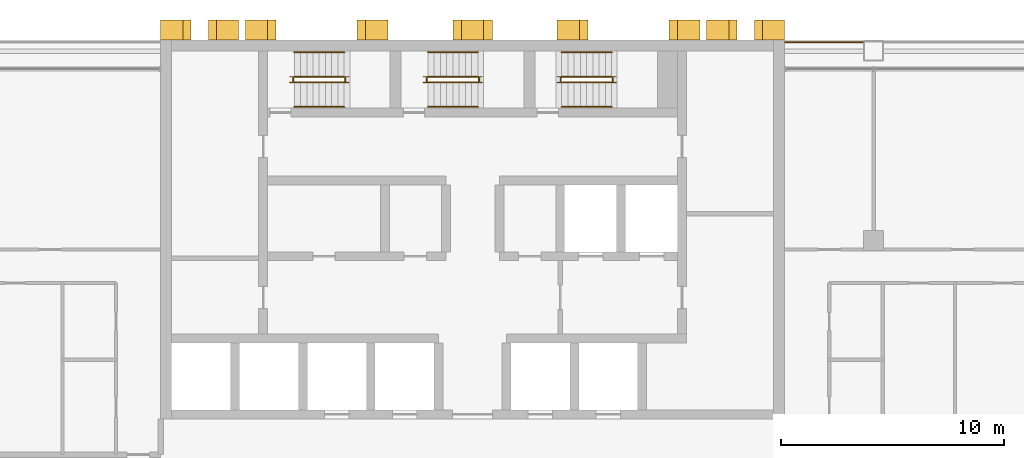
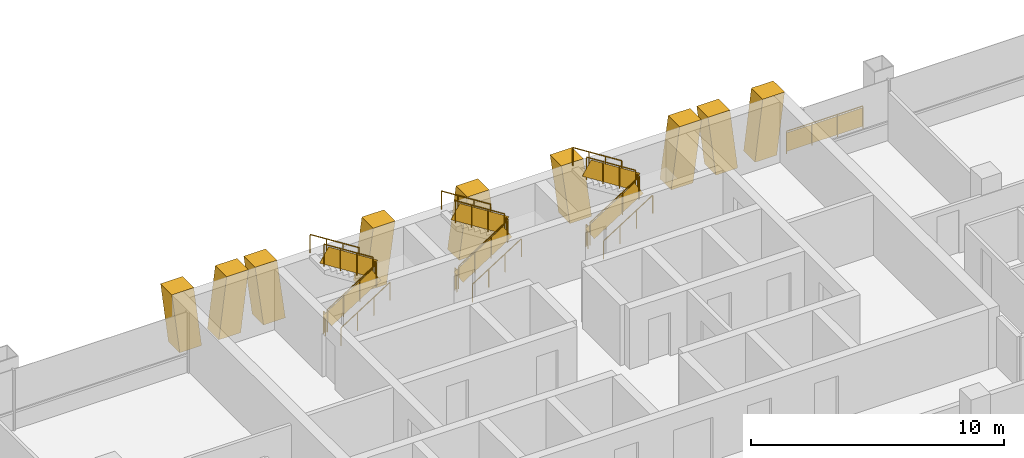
# One storey, part 16 of 17: 19 railings, 9 shading devices.
"""IFC4 building model written with IfcOpenShell, lengths in metres."""

from ifc_helpers import new_model, si_unit, direction, frame, origin, origin_2d, place, context, subcontext, project, spatial, polyline, rectangle, circle, outline, extrude, material, layer, layer_set, type_object, element, save


model = new_model("IFC4")

# Units and contexts
model_context = context("Model", 3, precision=1e-05, world=origin(), true_north=direction((0.0, 1.0)))
body_context = subcontext(model_context, "Body", "Model", "MODEL_VIEW")
ifc_project = project(units=[si_unit("LENGTHUNIT", "METRE"), si_unit("AREAUNIT", "SQUARE_METRE"), si_unit("VOLUMEUNIT", "CUBIC_METRE"), si_unit("PLANEANGLEUNIT", "RADIAN"), si_unit("MASSUNIT", "GRAM", prefix="KILO")], contexts=[model_context])

# Site, building, storey
site_placement = place(None, origin())
site = spatial("IfcSite", under=ifc_project, at=site_placement, CompositionType="ELEMENT")
building_placement = place(site_placement, origin())
building = spatial("IfcBuilding", under=site, at=building_placement, Name="Vidyagriha Tower", CompositionType="ELEMENT")
storey_placement = place(building_placement, frame((0.0, 0.0, 96.699951171875)))
storey = spatial("IfcBuildingStorey", under=building, at=storey_placement, Name="L25", CompositionType="ELEMENT", Elevation=96.699951171875)

# Shading devices
ifc_material_1 = material(Name="Precast concrete C40/50 with brick facing", Category="concrete")
ifc_layer_1 = layer(ifc_material_1, 1.0)
ifc_layer_set_1 = layer_set([ifc_layer_1], Name="Precast concrete C40/50 with brick facing")
shading_device_type_1 = type_object("IfcShadingDeviceType", Name="Brick-faced rear rib arm leaning 8 degrees", PredefinedType="USERDEFINED", material=ifc_layer_set_1)
shading_device_1_placement = place(storey_placement, frame((11.857177734375, 20.449951171875, 0.0), z_axis=(0.0, 0.0, 1.0), x_axis=(-1.0, 0.0, 0.0)))
element("IfcShadingDevice", 1, at=shading_device_1_placement, inside=storey, type_object=shading_device_type_1, Name="Rear rib arm L25 R08.1a", ObjectType="BLADE FIN", PredefinedType="USERDEFINED", context=body_context, shape_type="SweptSolid", body=[
    extrude(outline(polyline([(0.0, 0.0), (1.0, 0.0), (1.357177734375, 2.920166015625), (0.357177734375, 2.920166015625), (0.0, 0.0)])), frame((0.0, 0.449951171875, 0.0), z_axis=(0.0, -1.0, 0.0), x_axis=(1.0, 0.0, 0.0)), (0.0, 0.0, 1.0), 0.89990234375),
])
shading_device_2_placement = place(storey_placement, frame((14.0, 20.449951171875, 0.0), z_axis=(0.0, 0.0, 1.0), x_axis=(-1.0, 0.0, 0.0)))
element("IfcShadingDevice", 2, at=shading_device_2_placement, inside=storey, type_object=shading_device_type_1, Name="Rear rib arm L25 R08.1b", ObjectType="BLADE FIN", PredefinedType="USERDEFINED", context=body_context, shape_type="SweptSolid", body=[
    extrude(outline(polyline([(0.357177734375, 0.0), (1.357177734375, 0.0), (1.0, 2.920166015625), (0.0, 2.920166015625), (0.357177734375, 0.0)])), frame((0.0, 0.449951171875, 0.0), z_axis=(0.0, -1.0, 0.0), x_axis=(1.0, 0.0, 0.0)), (0.0, 0.0, 1.0), 0.89990234375),
])
shading_device_3_placement = place(storey_placement, frame((5.185791015625, 20.449951171875, 0.0), z_axis=(0.0, 0.0, 1.0), x_axis=(-1.0, 0.0, 0.0)))
element("IfcShadingDevice", 3, at=shading_device_3_placement, inside=storey, type_object=shading_device_type_1, Name="Rear rib arm L25 R08.2a", ObjectType="BLADE FIN", PredefinedType="USERDEFINED", context=body_context, shape_type="SweptSolid", body=[
    extrude(outline(polyline([(0.0, 0.0), (1.0, 0.0), (1.3857421875, 2.920166015625), (0.3857421875, 2.920166015625), (0.0, 0.0)])), frame((0.0, 0.449951171875, 0.0), z_axis=(0.0, -1.0, 0.0), x_axis=(1.0, 0.0, 0.0)), (0.0, 0.0, 1.0), 0.89990234375),
])
shading_device_4_placement = place(storey_placement, frame((10.199951171875, 20.449951171875, 0.0), z_axis=(0.0, 0.0, 1.0), x_axis=(-1.0, 0.0, 0.0)))
element("IfcShadingDevice", 4, at=shading_device_4_placement, inside=storey, type_object=shading_device_type_1, Name="Rear rib arm L25 R08.2b", ObjectType="BLADE FIN", PredefinedType="USERDEFINED", context=body_context, shape_type="SweptSolid", body=[
    extrude(outline(polyline([(0.3857421875, 0.0), (1.3857421875, 0.0), (1.0, 2.920166015625), (0.0, 2.920166015625), (0.3857421875, 0.0)])), frame((0.0, 0.449951171875, 0.0), z_axis=(0.0, -1.0, 0.0), x_axis=(1.0, 0.0, 0.0)), (0.0, 0.0, 1.0), 0.89990234375),
])
shading_device_5_placement = place(storey_placement, frame((-8.814208984375, 20.449951171875, 0.0), z_axis=(0.0, 0.0, 1.0), x_axis=(-1.0, 0.0, 0.0)))
element("IfcShadingDevice", 5, at=shading_device_5_placement, inside=storey, type_object=shading_device_type_1, Name="Rear rib arm L25 R08.4a", ObjectType="BLADE FIN", PredefinedType="USERDEFINED", context=body_context, shape_type="SweptSolid", body=[
    extrude(outline(polyline([(0.0, 0.0), (1.0, 0.0), (1.3857421875, 2.920166015625), (0.3857421875, 2.920166015625), (0.0, 0.0)])), frame((0.0, 0.449951171875, 0.0), z_axis=(0.0, -1.0, 0.0), x_axis=(1.0, 0.0, 0.0)), (0.0, 0.0, 1.0), 0.89990234375),
])
shading_device_6_placement = place(storey_placement, frame((-3.800048828125, 20.449951171875, 0.0), z_axis=(0.0, 0.0, 1.0), x_axis=(-1.0, 0.0, 0.0)))
element("IfcShadingDevice", 6, at=shading_device_6_placement, inside=storey, type_object=shading_device_type_1, Name="Rear rib arm L25 R08.4b", ObjectType="BLADE FIN", PredefinedType="USERDEFINED", context=body_context, shape_type="SweptSolid", body=[
    extrude(outline(polyline([(0.3857421875, 0.0), (1.3857421875, 0.0), (1.0, 2.920166015625), (0.0, 2.920166015625), (0.3857421875, 0.0)])), frame((0.0, 0.449951171875, 0.0), z_axis=(0.0, -1.0, 0.0), x_axis=(1.0, 0.0, 0.0)), (0.0, 0.0, 1.0), 0.89990234375),
])
shading_device_7_placement = place(storey_placement, frame((-12.642822265625, 20.449951171875, 0.0), z_axis=(0.0, 0.0, 1.0), x_axis=(-1.0, 0.0, 0.0)))
element("IfcShadingDevice", 7, at=shading_device_7_placement, inside=storey, type_object=shading_device_type_1, Name="Rear rib arm L25 R08.5a", ObjectType="BLADE FIN", PredefinedType="USERDEFINED", context=body_context, shape_type="SweptSolid", body=[
    extrude(outline(polyline([(0.0, 0.0), (1.0, 0.0), (1.357177734375, 2.920166015625), (0.357177734375, 2.920166015625), (0.0, 0.0)])), frame((0.0, 0.449951171875, 0.0), z_axis=(0.0, -1.0, 0.0), x_axis=(1.0, 0.0, 0.0)), (0.0, 0.0, 1.0), 0.89990234375),
])
shading_device_8_placement = place(storey_placement, frame((-10.5, 20.449951171875, 0.0), z_axis=(0.0, 0.0, 1.0), x_axis=(-1.0, 0.0, 0.0)))
element("IfcShadingDevice", 8, at=shading_device_8_placement, inside=storey, type_object=shading_device_type_1, Name="Rear rib arm L25 R08.5b", ObjectType="BLADE FIN", PredefinedType="USERDEFINED", context=body_context, shape_type="SweptSolid", body=[
    extrude(outline(polyline([(0.357177734375, 0.0), (1.357177734375, 0.0), (1.0, 2.920166015625), (0.0, 2.920166015625), (0.357177734375, 0.0)])), frame((0.0, 0.449951171875, 0.0), z_axis=(0.0, -1.0, 0.0), x_axis=(1.0, 0.0, 0.0)), (0.0, 0.0, 1.0), 0.89990234375),
])
ifc_material_2 = material(Name="Precast concrete C40/50 with brick facing", Category="concrete")
ifc_layer_2 = layer(ifc_material_2, 1.0)
ifc_layer_set_2 = layer_set([ifc_layer_2], Name="Precast concrete C40/50 with brick facing")
shading_device_type_2 = type_object("IfcShadingDeviceType", Name="Brick-faced rear rib forking 8 degrees", PredefinedType="USERDEFINED", material=ifc_layer_set_2)
shading_device_9_placement = place(storey_placement, frame((0.8857421875, 20.449951171875, 0.0), z_axis=(0.0, 0.0, 1.0), x_axis=(-1.0, 0.0, 0.0)))
element("IfcShadingDevice", 9, at=shading_device_9_placement, inside=storey, type_object=shading_device_type_2, Name="Rear rib fork L25 R08.3a", ObjectType="BLADE FIN", PredefinedType="USERDEFINED", context=body_context, shape_type="SweptSolid", body=[
    extrude(outline(polyline([(0.0, 0.0), (1.771484375, 0.0), (1.3857421875, 2.920166015625), (0.3857421875, 2.920166015625), (0.0, 0.0)])), frame((0.0, 0.449951171875, 0.0), z_axis=(0.0, -1.0, 0.0), x_axis=(1.0, 0.0, 0.0)), (0.0, 0.0, 1.0), 0.89990234375),
])

# Railings
ifc_material_3 = material(Name="Steel ASTM A500 Grade C black painted", Category="steel")
railing_type_1 = type_object("IfcRailingType", Name="Gallery guard 1100", PredefinedType="GUARDRAIL", material=ifc_material_3)
railing_1_placement = place(storey_placement, frame((14.030029296875, 19.89990234375, 0.0)))
element("IfcRailing", 10, at=railing_1_placement, inside=storey, type_object=railing_type_1, Name="Gallery guard L25 9", PredefinedType="GUARDRAIL", context=body_context, shape_type="SweptSolid", body=[
    extrude(circle(Radius=0.02490234375, at=origin_2d()), frame((0.0, 0.0, 1.0751953125), z_axis=(1.0, 0.0, 0.0), x_axis=(0.0, 1.0, 0.0)), (0.0, 0.0, 1.0), 3.489990234375),
    extrude(circle(Radius=0.02001953125, at=origin_2d()), origin(), (0.0, 0.0, 1.0), 1.050048828125),
    extrude(circle(Radius=0.02001953125, at=origin_2d()), frame((1.163330078125, 0.0, 0.0)), (0.0, 0.0, 1.0), 1.050048828125),
    extrude(circle(Radius=0.02001953125, at=origin_2d()), frame((2.32666015625, 0.0, 0.0)), (0.0, 0.0, 1.0), 1.050048828125),
    extrude(circle(Radius=0.02001953125, at=origin_2d()), frame((3.489990234375, 0.0, 0.0)), (0.0, 0.0, 1.0), 1.050048828125),
    extrude(rectangle(XDim=0.010009765625, YDim=0.900146484375, at=origin_2d()), frame((0.0, 0.0, 0.550048828125), z_axis=(1.0, 0.0, 0.0), x_axis=(0.0, 1.0, 0.0)), (0.0, 0.0, 1.0), 3.489990234375),
])
ifc_material_4 = material(Name="Steel ASTM A500 Grade C", Category="steel")
railing_type_2 = type_object("IfcRailingType", Name="Stair guard 1100 mm, steel balustrade", PredefinedType="GUARDRAIL", material=ifc_material_4)
railing_2_placement = place(storey_placement, frame((-8.0, 18.10009765625, 0.177734375)))
element("IfcRailing", 11, at=railing_2_placement, inside=storey, type_object=railing_type_2, Name="L25 ST1 stair guard 1", PredefinedType="GUARDRAIL", context=body_context, shape_type="SweptSolid", body=[
    extrude(circle(Radius=0.02392578125, at=origin_2d()), frame((0.0, 0.0, 1.076171875), z_axis=(0.84418770128, 0.0, 0.536047689118), x_axis=(0.0, 1.0, 0.0)), (0.0, 0.0, 1.0), 2.6533203125),
    extrude(circle(Radius=0.02099609375, at=origin_2d()), origin(), (0.0, 0.0, 1.0), 1.052001953125),
    extrude(circle(Radius=0.02099609375, at=origin_2d()), frame((0.74658203125, 0.0, 0.47412109375)), (0.0, 0.0, 1.0), 1.052001953125),
    extrude(circle(Radius=0.02099609375, at=origin_2d()), frame((1.493408203125, 0.0, 0.9482421875)), (0.0, 0.0, 1.0), 1.052001953125),
    extrude(circle(Radius=0.02099609375, at=origin_2d()), frame((2.239990234375, 0.0, 1.42236328125)), (0.0, 0.0, 1.0), 1.052001953125),
    extrude(rectangle(XDim=0.010009765625, YDim=0.761474609375, at=origin_2d()), frame((0.0, 0.0, 0.551025390625), z_axis=(0.84418770128, 0.0, 0.536047689118), x_axis=(0.0, 1.0, 0.0)), (0.0, 0.0, 1.0), 2.6533203125),
])
railing_3_placement = place(storey_placement, frame((-5.7099609375, 18.14990234375, 1.60009765625)))
element("IfcRailing", 12, at=railing_3_placement, inside=storey, type_object=railing_type_2, Name="L25 ST1 stair guard 2", PredefinedType="GUARDRAIL", context=body_context, shape_type="SweptSolid", body=[
    extrude(circle(Radius=0.02392578125, at=origin_2d()), frame((0.0, 0.0, 1.076171875), z_axis=(0.0, 1.0, 0.0), x_axis=(-1.0, 0.0, 0.0)), (0.0, 0.0, 1.0), 0.150146484375),
    extrude(circle(Radius=0.02099609375, at=origin_2d()), origin(), (0.0, 0.0, 1.0), 1.052001953125),
    extrude(circle(Radius=0.02099609375, at=origin_2d()), frame((0.0, 0.150146484375, 0.0)), (0.0, 0.0, 1.0), 1.052001953125),
    extrude(rectangle(XDim=0.010009765625, YDim=0.902099609375, at=origin_2d()), frame((0.0, 0.0, 0.551025390625), z_axis=(0.0, 1.0, 0.0), x_axis=(-1.0, 0.0, 0.0)), (0.0, 0.0, 1.0), 0.150146484375),
])
railing_4_placement = place(storey_placement, frame((-5.760009765625, 18.35009765625, 1.77783203125)))
element("IfcRailing", 13, at=railing_4_placement, inside=storey, type_object=railing_type_2, Name="L25 ST1 stair guard 3", PredefinedType="GUARDRAIL", context=body_context, shape_type="SweptSolid", body=[
    extrude(circle(Radius=0.02392578125, at=origin_2d()), frame((0.0, 0.0, 1.076171875), z_axis=(-0.8442293374, 0.0, 0.53598211339), x_axis=(0.0, -1.0, 0.0)), (0.0, 0.0, 1.0), 2.6533203125),
    extrude(circle(Radius=0.02099609375, at=origin_2d()), origin(), (0.0, 0.0, 1.0), 1.052001953125),
    extrude(circle(Radius=0.02099609375, at=origin_2d()), frame((-0.74658203125, 0.0, 0.47412109375)), (0.0, 0.0, 1.0), 1.052001953125),
    extrude(circle(Radius=0.02099609375, at=origin_2d()), frame((-1.493408203125, 0.0, 0.947998046875)), (0.0, 0.0, 1.0), 1.052001953125),
    extrude(circle(Radius=0.02099609375, at=origin_2d()), frame((-2.239990234375, 0.0, 1.422119140625)), (0.0, 0.0, 1.0), 1.052001953125),
    extrude(rectangle(XDim=0.010009765625, YDim=0.761474609375, at=origin_2d()), frame((0.0, 0.0, 0.551025390625), z_axis=(-0.8442293374, 0.0, 0.53598211339), x_axis=(0.0, -1.0, 0.0)), (0.0, 0.0, 1.0), 2.6533203125),
])
railing_5_placement = place(storey_placement, frame((-8.050048828125, 18.14990234375, 0.0)))
element("IfcRailing", 14, at=railing_5_placement, inside=storey, type_object=railing_type_2, Name="L25 ST1 stair guard 4", PredefinedType="GUARDRAIL", context=body_context, shape_type="SweptSolid", body=[
    extrude(circle(Radius=0.02392578125, at=origin_2d()), frame((0.0, 0.0, 1.076171875), z_axis=(0.0, 1.0, 0.0), x_axis=(-1.0, 0.0, 0.0)), (0.0, 0.0, 1.0), 0.150146484375),
    extrude(circle(Radius=0.02099609375, at=origin_2d()), origin(), (0.0, 0.0, 1.0), 1.052001953125),
    extrude(circle(Radius=0.02099609375, at=origin_2d()), frame((0.0, 0.150146484375, 0.0)), (0.0, 0.0, 1.0), 1.052001953125),
    extrude(rectangle(XDim=0.010009765625, YDim=0.902099609375, at=origin_2d()), frame((0.0, 0.0, 0.551025390625), z_axis=(0.0, 1.0, 0.0), x_axis=(-1.0, 0.0, 0.0)), (0.0, 0.0, 1.0), 0.150146484375),
])
railing_6_placement = place(storey_placement, frame((-2.0, 18.10009765625, 0.177734375)))
element("IfcRailing", 15, at=railing_6_placement, inside=storey, type_object=railing_type_2, Name="L25 ST2 stair guard 1", PredefinedType="GUARDRAIL", context=body_context, shape_type="SweptSolid", body=[
    extrude(circle(Radius=0.02392578125, at=origin_2d()), frame((0.0, 0.0, 1.076171875), z_axis=(0.84418770128, 0.0, 0.536047689118), x_axis=(0.0, 1.0, 0.0)), (0.0, 0.0, 1.0), 2.6533203125),
    extrude(circle(Radius=0.02099609375, at=origin_2d()), origin(), (0.0, 0.0, 1.0), 1.052001953125),
    extrude(circle(Radius=0.02099609375, at=origin_2d()), frame((0.74658203125, 0.0, 0.47412109375)), (0.0, 0.0, 1.0), 1.052001953125),
    extrude(circle(Radius=0.02099609375, at=origin_2d()), frame((1.493408203125, 0.0, 0.9482421875)), (0.0, 0.0, 1.0), 1.052001953125),
    extrude(circle(Radius=0.02099609375, at=origin_2d()), frame((2.239990234375, 0.0, 1.42236328125)), (0.0, 0.0, 1.0), 1.052001953125),
    extrude(rectangle(XDim=0.010009765625, YDim=0.761474609375, at=origin_2d()), frame((0.0, 0.0, 0.551025390625), z_axis=(0.84418770128, 0.0, 0.536047689118), x_axis=(0.0, 1.0, 0.0)), (0.0, 0.0, 1.0), 2.6533203125),
])
railing_7_placement = place(storey_placement, frame((0.2900390625, 18.14990234375, 1.60009765625)))
element("IfcRailing", 16, at=railing_7_placement, inside=storey, type_object=railing_type_2, Name="L25 ST2 stair guard 2", PredefinedType="GUARDRAIL", context=body_context, shape_type="SweptSolid", body=[
    extrude(circle(Radius=0.02392578125, at=origin_2d()), frame((0.0, 0.0, 1.076171875), z_axis=(0.0, 1.0, 0.0), x_axis=(-1.0, 0.0, 0.0)), (0.0, 0.0, 1.0), 0.150146484375),
    extrude(circle(Radius=0.02099609375, at=origin_2d()), origin(), (0.0, 0.0, 1.0), 1.052001953125),
    extrude(circle(Radius=0.02099609375, at=origin_2d()), frame((0.0, 0.150146484375, 0.0)), (0.0, 0.0, 1.0), 1.052001953125),
    extrude(rectangle(XDim=0.010009765625, YDim=0.902099609375, at=origin_2d()), frame((0.0, 0.0, 0.551025390625), z_axis=(0.0, 1.0, 0.0), x_axis=(-1.0, 0.0, 0.0)), (0.0, 0.0, 1.0), 0.150146484375),
])
railing_8_placement = place(storey_placement, frame((0.239990234375, 18.35009765625, 1.77783203125)))
element("IfcRailing", 17, at=railing_8_placement, inside=storey, type_object=railing_type_2, Name="L25 ST2 stair guard 3", PredefinedType="GUARDRAIL", context=body_context, shape_type="SweptSolid", body=[
    extrude(circle(Radius=0.02392578125, at=origin_2d()), frame((0.0, 0.0, 1.076171875), z_axis=(-0.8442293374, 0.0, 0.53598211339), x_axis=(0.0, -1.0, 0.0)), (0.0, 0.0, 1.0), 2.6533203125),
    extrude(circle(Radius=0.02099609375, at=origin_2d()), origin(), (0.0, 0.0, 1.0), 1.052001953125),
    extrude(circle(Radius=0.02099609375, at=origin_2d()), frame((-0.74658203125, 0.0, 0.47412109375)), (0.0, 0.0, 1.0), 1.052001953125),
    extrude(circle(Radius=0.02099609375, at=origin_2d()), frame((-1.493408203125, 0.0, 0.947998046875)), (0.0, 0.0, 1.0), 1.052001953125),
    extrude(circle(Radius=0.02099609375, at=origin_2d()), frame((-2.239990234375, 0.0, 1.422119140625)), (0.0, 0.0, 1.0), 1.052001953125),
    extrude(rectangle(XDim=0.010009765625, YDim=0.761474609375, at=origin_2d()), frame((0.0, 0.0, 0.551025390625), z_axis=(-0.8442293374, 0.0, 0.53598211339), x_axis=(0.0, -1.0, 0.0)), (0.0, 0.0, 1.0), 2.6533203125),
])
railing_9_placement = place(storey_placement, frame((-2.050048828125, 18.14990234375, 0.0)))
element("IfcRailing", 18, at=railing_9_placement, inside=storey, type_object=railing_type_2, Name="L25 ST2 stair guard 4", PredefinedType="GUARDRAIL", context=body_context, shape_type="SweptSolid", body=[
    extrude(circle(Radius=0.02392578125, at=origin_2d()), frame((0.0, 0.0, 1.076171875), z_axis=(0.0, 1.0, 0.0), x_axis=(-1.0, 0.0, 0.0)), (0.0, 0.0, 1.0), 0.150146484375),
    extrude(circle(Radius=0.02099609375, at=origin_2d()), origin(), (0.0, 0.0, 1.0), 1.052001953125),
    extrude(circle(Radius=0.02099609375, at=origin_2d()), frame((0.0, 0.150146484375, 0.0)), (0.0, 0.0, 1.0), 1.052001953125),
    extrude(rectangle(XDim=0.010009765625, YDim=0.902099609375, at=origin_2d()), frame((0.0, 0.0, 0.551025390625), z_axis=(0.0, 1.0, 0.0), x_axis=(-1.0, 0.0, 0.0)), (0.0, 0.0, 1.0), 0.150146484375),
])
railing_10_placement = place(storey_placement, frame((4.0, 18.10009765625, 0.177734375)))
element("IfcRailing", 19, at=railing_10_placement, inside=storey, type_object=railing_type_2, Name="L25 ST3 stair guard 1", PredefinedType="GUARDRAIL", context=body_context, shape_type="SweptSolid", body=[
    extrude(circle(Radius=0.02392578125, at=origin_2d()), frame((0.0, 0.0, 1.076171875), z_axis=(0.84418770128, 0.0, 0.536047689118), x_axis=(0.0, 1.0, 0.0)), (0.0, 0.0, 1.0), 2.6533203125),
    extrude(circle(Radius=0.02099609375, at=origin_2d()), origin(), (0.0, 0.0, 1.0), 1.052001953125),
    extrude(circle(Radius=0.02099609375, at=origin_2d()), frame((0.74658203125, 0.0, 0.47412109375)), (0.0, 0.0, 1.0), 1.052001953125),
    extrude(circle(Radius=0.02099609375, at=origin_2d()), frame((1.493408203125, 0.0, 0.9482421875)), (0.0, 0.0, 1.0), 1.052001953125),
    extrude(circle(Radius=0.02099609375, at=origin_2d()), frame((2.239990234375, 0.0, 1.42236328125)), (0.0, 0.0, 1.0), 1.052001953125),
    extrude(rectangle(XDim=0.010009765625, YDim=0.761474609375, at=origin_2d()), frame((0.0, 0.0, 0.551025390625), z_axis=(0.84418770128, 0.0, 0.536047689118), x_axis=(0.0, 1.0, 0.0)), (0.0, 0.0, 1.0), 2.6533203125),
])
railing_11_placement = place(storey_placement, frame((6.2900390625, 18.14990234375, 1.60009765625)))
element("IfcRailing", 20, at=railing_11_placement, inside=storey, type_object=railing_type_2, Name="L25 ST3 stair guard 2", PredefinedType="GUARDRAIL", context=body_context, shape_type="SweptSolid", body=[
    extrude(circle(Radius=0.02392578125, at=origin_2d()), frame((0.0, 0.0, 1.076171875), z_axis=(0.0, 1.0, 0.0), x_axis=(-1.0, 0.0, 0.0)), (0.0, 0.0, 1.0), 0.150146484375),
    extrude(circle(Radius=0.02099609375, at=origin_2d()), origin(), (0.0, 0.0, 1.0), 1.052001953125),
    extrude(circle(Radius=0.02099609375, at=origin_2d()), frame((0.0, 0.150146484375, 0.0)), (0.0, 0.0, 1.0), 1.052001953125),
    extrude(rectangle(XDim=0.010009765625, YDim=0.902099609375, at=origin_2d()), frame((0.0, 0.0, 0.551025390625), z_axis=(0.0, 1.0, 0.0), x_axis=(-1.0, 0.0, 0.0)), (0.0, 0.0, 1.0), 0.150146484375),
])
railing_12_placement = place(storey_placement, frame((6.239990234375, 18.35009765625, 1.77783203125)))
element("IfcRailing", 21, at=railing_12_placement, inside=storey, type_object=railing_type_2, Name="L25 ST3 stair guard 3", PredefinedType="GUARDRAIL", context=body_context, shape_type="SweptSolid", body=[
    extrude(circle(Radius=0.02392578125, at=origin_2d()), frame((0.0, 0.0, 1.076171875), z_axis=(-0.8442293374, 0.0, 0.53598211339), x_axis=(0.0, -1.0, 0.0)), (0.0, 0.0, 1.0), 2.6533203125),
    extrude(circle(Radius=0.02099609375, at=origin_2d()), origin(), (0.0, 0.0, 1.0), 1.052001953125),
    extrude(circle(Radius=0.02099609375, at=origin_2d()), frame((-0.74658203125, 0.0, 0.47412109375)), (0.0, 0.0, 1.0), 1.052001953125),
    extrude(circle(Radius=0.02099609375, at=origin_2d()), frame((-1.493408203125, 0.0, 0.947998046875)), (0.0, 0.0, 1.0), 1.052001953125),
    extrude(circle(Radius=0.02099609375, at=origin_2d()), frame((-2.239990234375, 0.0, 1.422119140625)), (0.0, 0.0, 1.0), 1.052001953125),
    extrude(rectangle(XDim=0.010009765625, YDim=0.761474609375, at=origin_2d()), frame((0.0, 0.0, 0.551025390625), z_axis=(-0.8442293374, 0.0, 0.53598211339), x_axis=(0.0, -1.0, 0.0)), (0.0, 0.0, 1.0), 2.6533203125),
])
railing_13_placement = place(storey_placement, frame((3.949951171875, 18.14990234375, 0.0)))
element("IfcRailing", 22, at=railing_13_placement, inside=storey, type_object=railing_type_2, Name="L25 ST3 stair guard 4", PredefinedType="GUARDRAIL", context=body_context, shape_type="SweptSolid", body=[
    extrude(circle(Radius=0.02392578125, at=origin_2d()), frame((0.0, 0.0, 1.076171875), z_axis=(0.0, 1.0, 0.0), x_axis=(-1.0, 0.0, 0.0)), (0.0, 0.0, 1.0), 0.150146484375),
    extrude(circle(Radius=0.02099609375, at=origin_2d()), origin(), (0.0, 0.0, 1.0), 1.052001953125),
    extrude(circle(Radius=0.02099609375, at=origin_2d()), frame((0.0, 0.150146484375, 0.0)), (0.0, 0.0, 1.0), 1.052001953125),
    extrude(rectangle(XDim=0.010009765625, YDim=0.902099609375, at=origin_2d()), frame((0.0, 0.0, 0.551025390625), z_axis=(0.0, 1.0, 0.0), x_axis=(-1.0, 0.0, 0.0)), (0.0, 0.0, 1.0), 0.150146484375),
])
ifc_material_5 = material(Name="Steel ASTM A500 Grade C", Category="steel")
railing_type_3 = type_object("IfcRailingType", Name="Stair handrail 900 mm, steel", PredefinedType="HANDRAIL", material=ifc_material_5)
railing_14_placement = place(storey_placement, frame((-8.0, 17.0, 0.177734375)))
element("IfcRailing", 23, at=railing_14_placement, inside=storey, type_object=railing_type_3, Name="L25 ST1 stair handrail 1", PredefinedType="HANDRAIL", context=body_context, shape_type="SweptSolid", body=[
    extrude(circle(Radius=0.02392578125, at=origin_2d()), frame((0.0, 0.0, 0.8759765625), z_axis=(0.84418770128, 0.0, 0.536047689118), x_axis=(0.0, 1.0, 0.0)), (0.0, 0.0, 1.0), 2.6533203125),
    extrude(circle(Radius=0.02099609375, at=origin_2d()), origin(), (0.0, 0.0, 1.0), 0.851806640625),
    extrude(circle(Radius=0.02099609375, at=origin_2d()), frame((0.74658203125, 0.0, 0.47412109375)), (0.0, 0.0, 1.0), 0.851806640625),
    extrude(circle(Radius=0.02099609375, at=origin_2d()), frame((1.493408203125, 0.0, 0.9482421875)), (0.0, 0.0, 1.0), 0.851806640625),
    extrude(circle(Radius=0.02099609375, at=origin_2d()), frame((2.239990234375, 0.0, 1.42236328125)), (0.0, 0.0, 1.0), 0.851806640625),
])
railing_15_placement = place(storey_placement, frame((-5.760009765625, 19.449951171875, 1.77783203125)))
element("IfcRailing", 24, at=railing_15_placement, inside=storey, type_object=railing_type_3, Name="L25 ST1 stair handrail 2", PredefinedType="HANDRAIL", context=body_context, shape_type="SweptSolid", body=[
    extrude(circle(Radius=0.02392578125, at=origin_2d()), frame((0.0, 0.0, 0.8759765625), z_axis=(-0.8442293374, 0.0, 0.53598211339), x_axis=(0.0, -1.0, 0.0)), (0.0, 0.0, 1.0), 2.6533203125),
    extrude(circle(Radius=0.02099609375, at=origin_2d()), origin(), (0.0, 0.0, 1.0), 0.851806640625),
    extrude(circle(Radius=0.02099609375, at=origin_2d()), frame((-0.74658203125, 0.0, 0.47412109375)), (0.0, 0.0, 1.0), 0.851806640625),
    extrude(circle(Radius=0.02099609375, at=origin_2d()), frame((-1.493408203125, 0.0, 0.947998046875)), (0.0, 0.0, 1.0), 0.851806640625),
    extrude(circle(Radius=0.02099609375, at=origin_2d()), frame((-2.239990234375, 0.0, 1.422119140625)), (0.0, 0.0, 1.0), 0.851806640625),
])
railing_16_placement = place(storey_placement, frame((-2.0, 17.0, 0.177734375)))
element("IfcRailing", 25, at=railing_16_placement, inside=storey, type_object=railing_type_3, Name="L25 ST2 stair handrail 1", PredefinedType="HANDRAIL", context=body_context, shape_type="SweptSolid", body=[
    extrude(circle(Radius=0.02392578125, at=origin_2d()), frame((0.0, 0.0, 0.8759765625), z_axis=(0.84418770128, 0.0, 0.536047689118), x_axis=(0.0, 1.0, 0.0)), (0.0, 0.0, 1.0), 2.6533203125),
    extrude(circle(Radius=0.02099609375, at=origin_2d()), origin(), (0.0, 0.0, 1.0), 0.851806640625),
    extrude(circle(Radius=0.02099609375, at=origin_2d()), frame((0.74658203125, 0.0, 0.47412109375)), (0.0, 0.0, 1.0), 0.851806640625),
    extrude(circle(Radius=0.02099609375, at=origin_2d()), frame((1.493408203125, 0.0, 0.9482421875)), (0.0, 0.0, 1.0), 0.851806640625),
    extrude(circle(Radius=0.02099609375, at=origin_2d()), frame((2.239990234375, 0.0, 1.42236328125)), (0.0, 0.0, 1.0), 0.851806640625),
])
railing_17_placement = place(storey_placement, frame((0.239990234375, 19.449951171875, 1.77783203125)))
element("IfcRailing", 26, at=railing_17_placement, inside=storey, type_object=railing_type_3, Name="L25 ST2 stair handrail 2", PredefinedType="HANDRAIL", context=body_context, shape_type="SweptSolid", body=[
    extrude(circle(Radius=0.02392578125, at=origin_2d()), frame((0.0, 0.0, 0.8759765625), z_axis=(-0.8442293374, 0.0, 0.53598211339), x_axis=(0.0, -1.0, 0.0)), (0.0, 0.0, 1.0), 2.6533203125),
    extrude(circle(Radius=0.02099609375, at=origin_2d()), origin(), (0.0, 0.0, 1.0), 0.851806640625),
    extrude(circle(Radius=0.02099609375, at=origin_2d()), frame((-0.74658203125, 0.0, 0.47412109375)), (0.0, 0.0, 1.0), 0.851806640625),
    extrude(circle(Radius=0.02099609375, at=origin_2d()), frame((-1.493408203125, 0.0, 0.947998046875)), (0.0, 0.0, 1.0), 0.851806640625),
    extrude(circle(Radius=0.02099609375, at=origin_2d()), frame((-2.239990234375, 0.0, 1.422119140625)), (0.0, 0.0, 1.0), 0.851806640625),
])
railing_18_placement = place(storey_placement, frame((4.0, 17.0, 0.177734375)))
element("IfcRailing", 27, at=railing_18_placement, inside=storey, type_object=railing_type_3, Name="L25 ST3 stair handrail 1", PredefinedType="HANDRAIL", context=body_context, shape_type="SweptSolid", body=[
    extrude(circle(Radius=0.02392578125, at=origin_2d()), frame((0.0, 0.0, 0.8759765625), z_axis=(0.84418770128, 0.0, 0.536047689118), x_axis=(0.0, 1.0, 0.0)), (0.0, 0.0, 1.0), 2.6533203125),
    extrude(circle(Radius=0.02099609375, at=origin_2d()), origin(), (0.0, 0.0, 1.0), 0.851806640625),
    extrude(circle(Radius=0.02099609375, at=origin_2d()), frame((0.74658203125, 0.0, 0.47412109375)), (0.0, 0.0, 1.0), 0.851806640625),
    extrude(circle(Radius=0.02099609375, at=origin_2d()), frame((1.493408203125, 0.0, 0.9482421875)), (0.0, 0.0, 1.0), 0.851806640625),
    extrude(circle(Radius=0.02099609375, at=origin_2d()), frame((2.239990234375, 0.0, 1.42236328125)), (0.0, 0.0, 1.0), 0.851806640625),
])
railing_19_placement = place(storey_placement, frame((6.239990234375, 19.449951171875, 1.77783203125)))
element("IfcRailing", 28, at=railing_19_placement, inside=storey, type_object=railing_type_3, Name="L25 ST3 stair handrail 2", PredefinedType="HANDRAIL", context=body_context, shape_type="SweptSolid", body=[
    extrude(circle(Radius=0.02392578125, at=origin_2d()), frame((0.0, 0.0, 0.8759765625), z_axis=(-0.8442293374, 0.0, 0.53598211339), x_axis=(0.0, -1.0, 0.0)), (0.0, 0.0, 1.0), 2.6533203125),
    extrude(circle(Radius=0.02099609375, at=origin_2d()), origin(), (0.0, 0.0, 1.0), 0.851806640625),
    extrude(circle(Radius=0.02099609375, at=origin_2d()), frame((-0.74658203125, 0.0, 0.47412109375)), (0.0, 0.0, 1.0), 0.851806640625),
    extrude(circle(Radius=0.02099609375, at=origin_2d()), frame((-1.493408203125, 0.0, 0.947998046875)), (0.0, 0.0, 1.0), 0.851806640625),
    extrude(circle(Radius=0.02099609375, at=origin_2d()), frame((-2.239990234375, 0.0, 1.422119140625)), (0.0, 0.0, 1.0), 0.851806640625),
])

save(model, "model.ifc")
